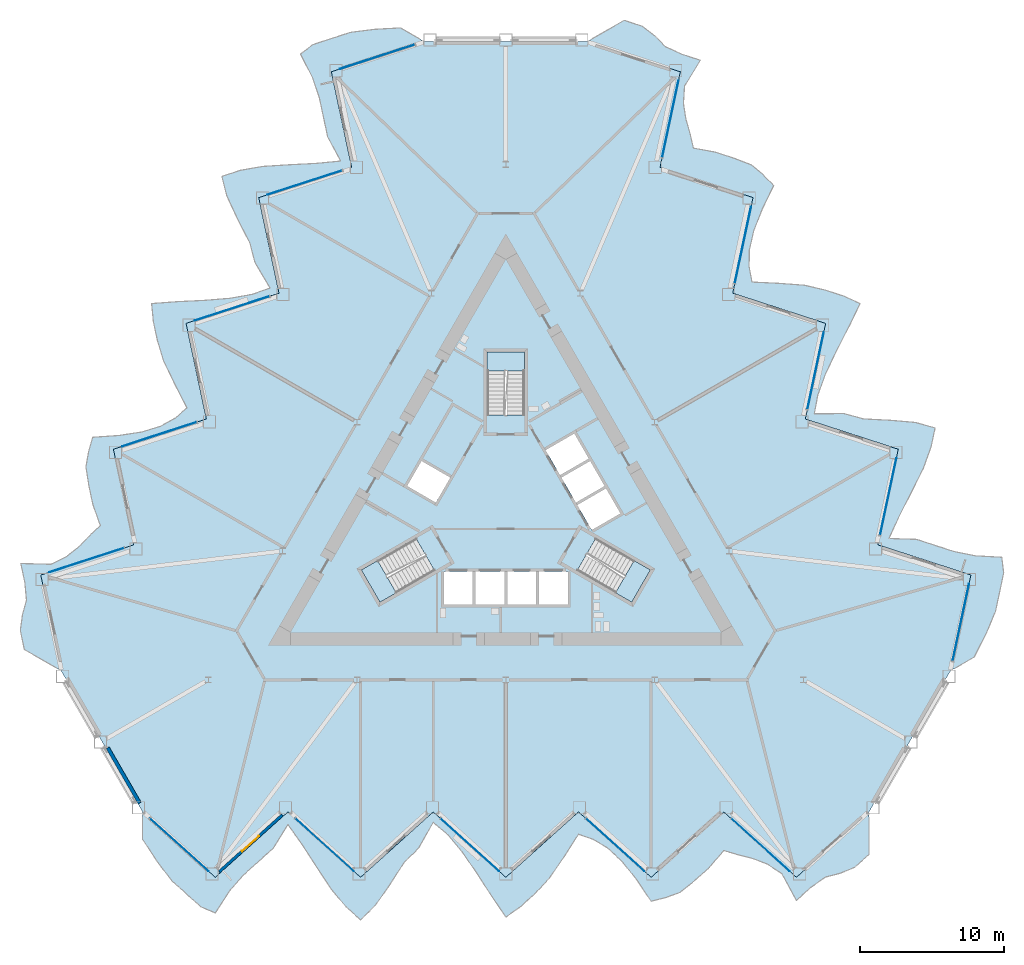
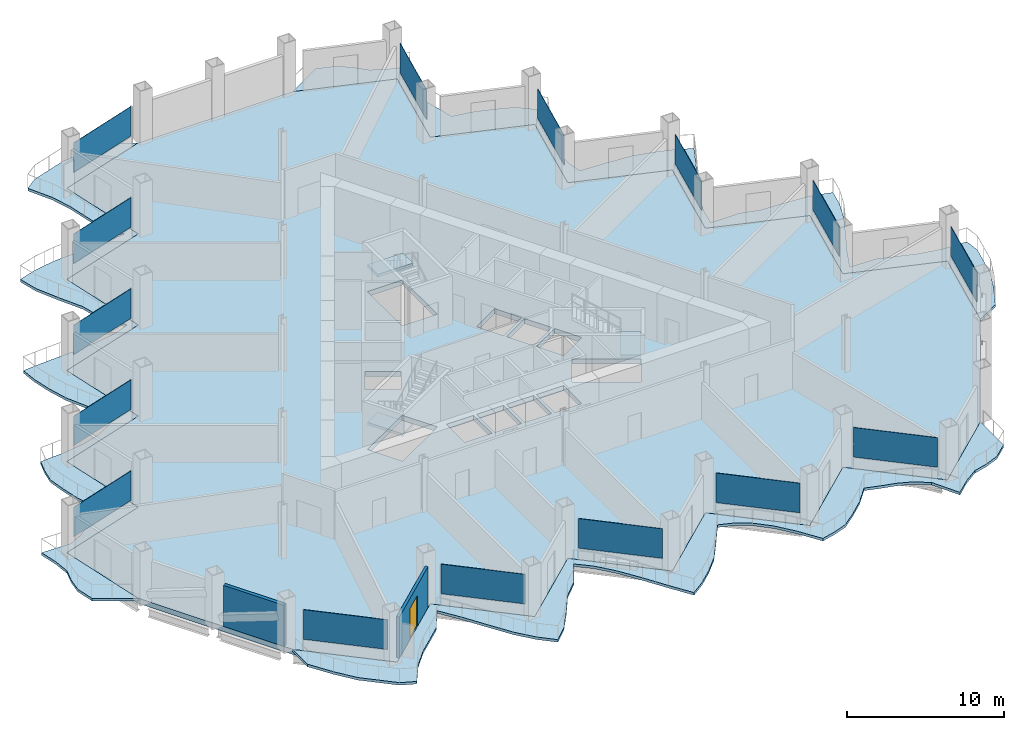
# One storey, part 9 of 21: 15 plates, 7 slabs, 2 walls, 1 door, 1 opening, 18 elements without a shape of their own.
"""IFC4 building model written with IfcOpenShell, lengths in metres."""

from ifc_helpers import new_model, si_unit, direction, frame, frame_2d, origin, origin_2d, place, context, subcontext, project, spatial, polyline, rectangle, outline, extrude, material, layer, layer_set, type_object, element, fill, aggregate, save


model = new_model("IFC4")

# Units and contexts
model_context = context("Model", 3, precision=1e-05, world=origin(), true_north=direction((0.0, 1.0)))
body_context = subcontext(model_context, "Body", "Model", "MODEL_VIEW")
ifc_project = project(units=[si_unit("LENGTHUNIT", "METRE"), si_unit("AREAUNIT", "SQUARE_METRE"), si_unit("VOLUMEUNIT", "CUBIC_METRE"), si_unit("PLANEANGLEUNIT", "RADIAN"), si_unit("MASSUNIT", "GRAM", prefix="KILO")], contexts=[model_context])

# Site, building, storey
site_placement = place(None, origin())
site = spatial("IfcSite", under=ifc_project, at=site_placement, CompositionType="ELEMENT")
building_placement = place(site_placement, origin())
building = spatial("IfcBuilding", under=site, at=building_placement, Name="Cormorant Prow Tower", CompositionType="ELEMENT")
storey_placement = place(building_placement, frame((0.0, 0.0, 124.800048828125)))
storey = spatial("IfcBuildingStorey", under=building, at=storey_placement, Name="L26", CompositionType="ELEMENT", Elevation=124.800048828125)

# Slabs
ifc_material_1 = material(Name="Concrete C40/50", Category="concrete")
ifc_layer_1 = layer(ifc_material_1, 0.199951171875)
ifc_layer_set_1 = layer_set([ifc_layer_1], Name="Concrete C40/50")
slab_type_1 = type_object("IfcSlabType", Name="Balcony slab 200", PredefinedType="FLOOR", material=ifc_layer_set_1)
slab_1_placement = place(storey_placement, frame((0.0, 0.0, -0.199951171875)))
element("IfcSlab", 1, at=slab_1_placement, inside=storey, type_object=slab_type_1, Name="Balcony slab S L26", PredefinedType="FLOOR", context=body_context, shape_type="SweptSolid", body=[
    extrude(outline(polyline([(-25.217041015625, -21.095947265625), (-25.217041015625, -22.995849609375), (-24.208251953125, -24.539306640625), (-23.19970703125, -25.8623046875), (-22.19091796875, -26.7705078125), (-21.18212890625, -27.6787109375), (-20.173583984375, -28.1103515625), (-19.164794921875, -26.558349609375), (-18.15625, -25.420654296875), (-17.1474609375, -24.512451171875), (-16.138916015625, -23.604248046875), (-15.130126953125, -21.97705078125), (-14.12158203125, -23.39453125), (-13.11279296875, -24.953369140625), (-12.104248046875, -26.47314453125), (-11.095458984375, -27.6787109375), (-10.086669921875, -28.5869140625), (-9.078125, -27.605224609375), (-8.0693359375, -26.1650390625), (-7.060791015625, -24.6015625), (-6.052001953125, -23.604248046875), (-5.04345703125, -21.8154296875), (-4.03466796875, -22.678466796875), (-3.026123046875, -23.881591796875), (-2.017333984375, -25.3427734375), (-1.0087890625, -26.908935546875), (0.0, -28.397216796875), (1.0087890625, -27.6787109375), (2.017333984375, -26.7705078125), (3.026123046875, -25.694580078125), (4.03466796875, -24.214111328125), (5.04345703125, -22.6474609375), (6.052001953125, -22.994140625), (7.060791015625, -23.593017578125), (8.0693359375, -24.530517578125), (9.078125, -25.7978515625), (10.086669921875, -27.2958984375), (11.095458984375, -27.04443359375), (12.104248046875, -26.677490234375), (13.11279296875, -25.8623046875), (14.12158203125, -24.9541015625), (15.130126953125, -23.772705078125), (16.138916015625, -24.07568359375), (17.1474609375, -24.330810546875), (18.15625, -24.7197265625), (19.164794921875, -25.38623046875), (20.173583984375, -27.237060546875), (21.18212890625, -26.328857421875), (22.19091796875, -25.619384765625), (23.19970703125, -25.3583984375), (24.208251953125, -24.94580078125), (25.217041015625, -24.0458984375), (25.217041015625, -21.095947265625), (24.208251953125, -22.004150390625), (23.19970703125, -22.912353515625), (22.19091796875, -23.820556640625), (21.18212890625, -24.728759765625), (20.173583984375, -25.636962890625), (19.164794921875, -24.728759765625), (18.15625, -23.820556640625), (17.1474609375, -22.912353515625), (16.138916015625, -22.004150390625), (15.130126953125, -21.095947265625), (14.12158203125, -22.004150390625), (13.11279296875, -22.912353515625), (12.104248046875, -23.820556640625), (11.095458984375, -24.728759765625), (10.086669921875, -25.636962890625), (9.078125, -24.728759765625), (8.0693359375, -23.820556640625), (7.060791015625, -22.912353515625), (6.052001953125, -22.004150390625), (5.04345703125, -21.095947265625), (4.03466796875, -22.004150390625), (3.026123046875, -22.912353515625), (2.017333984375, -23.820556640625), (1.0087890625, -24.728759765625), (0.0, -25.636962890625), (-1.0087890625, -24.728759765625), (-2.017333984375, -23.820556640625), (-3.026123046875, -22.912353515625), (-4.03466796875, -22.004150390625), (-5.04345703125, -21.095947265625), (-6.052001953125, -22.004150390625), (-7.060791015625, -22.912353515625), (-8.0693359375, -23.820556640625), (-9.078125, -24.728759765625), (-10.086669921875, -25.636962890625), (-11.095458984375, -24.728759765625), (-12.104248046875, -23.820556640625), (-13.11279296875, -22.912353515625), (-14.12158203125, -22.004150390625), (-15.130126953125, -21.095947265625), (-16.138916015625, -22.004150390625), (-17.1474609375, -22.912353515625), (-18.15625, -23.820556640625), (-19.164794921875, -24.728759765625), (-20.173583984375, -25.636962890625), (-21.18212890625, -24.728759765625), (-22.19091796875, -23.820556640625), (-23.19970703125, -22.912353515625), (-24.208251953125, -22.004150390625), (-25.217041015625, -21.095947265625)])), origin(), (0.0, 0.0, 1.0), 0.199951171875),
])
slab_2_placement = place(storey_placement, frame((0.0, 0.0, -0.199951171875)))
element("IfcSlab", 2, at=slab_2_placement, inside=storey, type_object=slab_type_1, Name="Balcony slab ENE L26", PredefinedType="FLOOR", context=body_context, shape_type="SweptSolid", body=[
    extrude(outline(polyline([(30.878173828125, -11.29052734375), (32.5234375, -10.340576171875), (33.355712890625, -8.6953125), (33.997314453125, -7.16015625), (34.279541015625, -5.83251953125), (34.561767578125, -4.5048828125), (34.43115234375, -3.41552734375), (32.58251953125, -3.318115234375), (31.093017578125, -3.013427734375), (29.802001953125, -2.593994140625), (28.51123046875, -2.174560546875), (26.59765625, -2.11474609375), (27.32080078125, -0.532470703125), (28.16650390625, 1.12060546875), (28.978515625, 2.754150390625), (29.518310546875, 4.23046875), (29.800537109375, 5.55810546875), (28.446044921875, 5.940673828125), (26.6943359375, 6.09423828125), (24.8359375, 6.18603515625), (23.4677734375, 6.560791015625), (21.41455078125, 6.5400390625), (21.657470703125, 7.84521484375), (22.195068359375, 9.320068359375), (22.956298828125, 10.92431640625), (23.80810546875, 12.580810546875), (24.5927734375, 14.19873046875), (23.46630859375, 14.712890625), (22.17529296875, 15.13232421875), (20.7392578125, 15.468017578125), (18.95263671875, 15.601318359375), (17.091552734375, 15.69140625), (16.887451171875, 16.73828125), (16.90185546875, 17.911376953125), (17.209228515625, 19.253662109375), (17.802734375, 20.7607421875), (18.595703125, 22.38330078125), (17.87353515625, 23.131103515625), (17.051513671875, 23.8212890625), (15.841064453125, 24.287109375), (14.55029296875, 24.70654296875), (13.022705078125, 24.989501953125), (12.780517578125, 26.014404296875), (12.497314453125, 27.015625), (12.329833984375, 28.08349609375), (12.40283203125, 29.29052734375), (13.501220703125, 31.08935546875), (12.210205078125, 31.5087890625), (11.091552734375, 32.027587890625), (10.361083984375, 32.7705078125), (9.49951171875, 33.437744140625), (8.2158203125, 33.861572265625), (5.6611328125, 32.386474609375), (6.951904296875, 31.967041015625), (8.242919921875, 31.547607421875), (9.53369140625, 31.128173828125), (10.82470703125, 30.708740234375), (12.115478515625, 30.289306640625), (11.833251953125, 28.961669921875), (11.551025390625, 27.634033203125), (11.26904296875, 26.306396484375), (10.98681640625, 24.978759765625), (10.70458984375, 23.651123046875), (11.995361328125, 23.231689453125), (13.286376953125, 22.812255859375), (14.5771484375, 22.392822265625), (15.8681640625, 21.973388671875), (17.158935546875, 21.553955078125), (16.876708984375, 20.226318359375), (16.594482421875, 18.898681640625), (16.312255859375, 17.571044921875), (16.030029296875, 16.243408203125), (15.748046875, 14.915771484375), (17.038818359375, 14.496337890625), (18.32958984375, 14.076904296875), (19.62060546875, 13.657470703125), (20.911376953125, 13.238037109375), (22.202392578125, 12.818603515625), (21.920166015625, 11.490966796875), (21.637939453125, 10.163330078125), (21.355712890625, 8.83544921875), (21.073486328125, 7.5078125), (20.791259765625, 6.18017578125), (22.082275390625, 5.7607421875), (23.373046875, 5.34130859375), (24.6640625, 4.921875), (25.954833984375, 4.50244140625), (27.24560546875, 4.0830078125), (26.963623046875, 2.75537109375), (26.681396484375, 1.427734375), (26.399169921875, 0.10009765625), (26.116943359375, -1.2275390625), (25.834716796875, -2.55517578125), (27.12548828125, -2.974609375), (28.41650390625, -3.39404296875), (29.707275390625, -3.8134765625), (30.998291015625, -4.23291015625), (32.2890625, -4.65234375), (32.0068359375, -5.97998046875), (31.724609375, -7.3076171875), (31.4423828125, -8.63525390625), (31.160400390625, -9.962890625), (30.878173828125, -11.29052734375)])), origin(), (0.0, 0.0, 1.0), 0.199951171875),
])
slab_3_placement = place(storey_placement, frame((0.0, 0.0, -0.199951171875)))
element("IfcSlab", 3, at=slab_3_placement, inside=storey, type_object=slab_type_1, Name="Balcony slab WNW L26", PredefinedType="FLOOR", context=body_context, shape_type="SweptSolid", body=[
    extrude(outline(polyline([(-5.6611328125, 32.386474609375), (-7.306640625, 33.33642578125), (-9.1474609375, 33.234619140625), (-10.797607421875, 33.022705078125), (-12.088623046875, 32.603271484375), (-13.37939453125, 32.183837890625), (-14.257568359375, 31.526123046875), (-13.417724609375, 29.87646484375), (-12.936767578125, 28.43408203125), (-12.654541015625, 27.1064453125), (-12.372314453125, 25.77880859375), (-11.467529296875, 24.091552734375), (-13.199462890625, 23.9267578125), (-15.0537109375, 23.832763671875), (-16.874267578125, 23.718994140625), (-18.4228515625, 23.4482421875), (-19.713623046875, 23.02880859375), (-19.367919921875, 21.66455078125), (-18.625, 20.07080078125), (-17.775146484375, 18.41552734375), (-17.415771484375, 17.043212890625), (-16.37109375, 15.275390625), (-17.622802734375, 14.83349609375), (-19.1689453125, 14.561279296875), (-20.938720703125, 14.41845703125), (-22.79931640625, 14.327880859375), (-24.5927734375, 14.19873046875), (-24.474853515625, 12.9658203125), (-24.192626953125, 11.63818359375), (-23.76513671875, 10.226806640625), (-22.9873046875, 8.61279296875), (-22.135009765625, 6.9560546875), (-22.939453125, 6.255859375), (-23.962646484375, 5.681884765625), (-25.27880859375, 5.27685546875), (-26.880859375, 5.037109375), (-28.682373046875, 4.91259765625), (-28.968994140625, 3.913330078125), (-29.155517578125, 2.856201171875), (-28.953857421875, 1.5751953125), (-28.671630859375, 0.24755859375), (-28.15283203125, -1.216796875), (-28.91943359375, -1.93896484375), (-29.644775390625, -2.684814453125), (-30.486083984375, -3.36376953125), (-31.567626953125, -3.904052734375), (-33.6748046875, -3.852294921875), (-33.392578125, -5.179931640625), (-33.282470703125, -6.408203125), (-33.560791015625, -7.412353515625), (-33.707763671875, -8.4921875), (-33.432861328125, -9.8154296875), (-30.878173828125, -11.29052734375), (-31.160400390625, -9.962890625), (-31.4423828125, -8.63525390625), (-31.724609375, -7.3076171875), (-32.0068359375, -5.97998046875), (-32.2890625, -4.65234375), (-30.998291015625, -4.23291015625), (-29.707275390625, -3.8134765625), (-28.41650390625, -3.39404296875), (-27.12548828125, -2.974609375), (-25.834716796875, -2.55517578125), (-26.116943359375, -1.2275390625), (-26.399169921875, 0.10009765625), (-26.681396484375, 1.427734375), (-26.963623046875, 2.75537109375), (-27.24560546875, 4.0830078125), (-25.954833984375, 4.50244140625), (-24.6640625, 4.921875), (-23.373046875, 5.34130859375), (-22.082275390625, 5.7607421875), (-20.791259765625, 6.18017578125), (-21.073486328125, 7.5078125), (-21.355712890625, 8.83544921875), (-21.637939453125, 10.163330078125), (-21.920166015625, 11.490966796875), (-22.202392578125, 12.818603515625), (-20.911376953125, 13.238037109375), (-19.62060546875, 13.657470703125), (-18.32958984375, 14.076904296875), (-17.038818359375, 14.496337890625), (-15.748046875, 14.915771484375), (-16.030029296875, 16.243408203125), (-16.312255859375, 17.571044921875), (-16.594482421875, 18.898681640625), (-16.876708984375, 20.226318359375), (-17.158935546875, 21.553955078125), (-15.8681640625, 21.973388671875), (-14.5771484375, 22.392822265625), (-13.286376953125, 22.812255859375), (-11.995361328125, 23.231689453125), (-10.70458984375, 23.651123046875), (-10.98681640625, 24.978759765625), (-11.26904296875, 26.306396484375), (-11.551025390625, 27.634033203125), (-11.833251953125, 28.961669921875), (-12.115478515625, 30.289306640625), (-10.82470703125, 30.708740234375), (-9.53369140625, 31.128173828125), (-8.242919921875, 31.547607421875), (-6.951904296875, 31.967041015625), (-5.6611328125, 32.386474609375)])), origin(), (0.0, 0.0, 1.0), 0.199951171875),
])

# Curtain wall, plate
ifc_material_2 = material(Name="Aluminium 6063-T6", Category="aluminium")
ifc_layer_2 = layer(ifc_material_2, 0.199951171875)
ifc_layer_set_2 = layer_set([ifc_layer_2], Name="Aluminium 6063-T6")
curtain_wall_type = type_object("IfcCurtainWallType", Name="Office unitised curtain wall 200", PredefinedType="NOTDEFINED", material=ifc_layer_set_2)
curtain_wall_1_placement = place(storey_placement, origin())
curtain_wall_1 = element("IfcCurtainWall", 4, at=curtain_wall_1_placement, inside=storey, type_object=curtain_wall_type, Name="Office curtain wall S00", PredefinedType="NOTDEFINED")
ifc_material_3 = material(Name="Clear glass", Category="glass")
ifc_layer_3 = layer(ifc_material_3, 0.031982421875)
ifc_layer_set_3 = layer_set([ifc_layer_3], Name="Clear glass")
plate_type = type_object("IfcPlateType", Name="Office glass panel 32", PredefinedType="CURTAIN_PANEL", material=ifc_layer_set_3)
plate_1_placement = place(storey_placement, frame((-22.6728515625, -23.386474609375, 0.89990234375), z_axis=(0.0, 0.0, 1.0), x_axis=(0.743144873348, -0.669130553193, 0.0)))
plate_1 = element("IfcPlate", 5, at=plate_1_placement, type_object=plate_type, Name="Office glass panel S00", PredefinedType="CURTAIN_PANEL", context=body_context, shape_type="SweptSolid", body=[
    extrude(rectangle(XDim=5.45458984375, YDim=0.031982421875, at=origin_2d()), origin(), (0.0, 0.0, 1.0), 2.288818359375),
])
aggregate(curtain_wall_1, [plate_1])

curtain_wall_2_placement = place(storey_placement, origin())
curtain_wall_2 = element("IfcCurtainWall", 6, at=curtain_wall_2_placement, inside=storey, type_object=curtain_wall_type, Name="Office curtain wall S02", PredefinedType="NOTDEFINED")
plate_2_placement = place(storey_placement, frame((-12.586181640625, -23.386474609375, 0.89990234375), z_axis=(0.0, 0.0, 1.0), x_axis=(0.743144807376, -0.669130626463, 0.0)))
plate_2 = element("IfcPlate", 7, at=plate_2_placement, type_object=plate_type, Name="Office glass panel S02", PredefinedType="CURTAIN_PANEL", context=body_context, shape_type="SweptSolid", body=[
    extrude(rectangle(XDim=5.45458984375, YDim=0.031982421875, at=origin_2d()), origin(), (0.0, 0.0, 1.0), 2.288818359375),
])
aggregate(curtain_wall_2, [plate_2])

curtain_wall_3_placement = place(storey_placement, origin())
curtain_wall_3 = element("IfcCurtainWall", 8, at=curtain_wall_3_placement, inside=storey, type_object=curtain_wall_type, Name="Office curtain wall S04", PredefinedType="NOTDEFINED")
plate_3_placement = place(storey_placement, frame((-2.49951171875, -23.386474609375, 0.89990234375), z_axis=(0.0, 0.0, 1.0), x_axis=(0.743144807376, -0.669130626463, 0.0)))
plate_3 = element("IfcPlate", 9, at=plate_3_placement, type_object=plate_type, Name="Office glass panel S04", PredefinedType="CURTAIN_PANEL", context=body_context, shape_type="SweptSolid", body=[
    extrude(rectangle(XDim=5.45458984375, YDim=0.031982421875, at=origin_2d()), origin(), (0.0, 0.0, 1.0), 2.288818359375),
])
aggregate(curtain_wall_3, [plate_3])

curtain_wall_4_placement = place(storey_placement, origin())
curtain_wall_4 = element("IfcCurtainWall", 10, at=curtain_wall_4_placement, inside=storey, type_object=curtain_wall_type, Name="Office curtain wall S06", PredefinedType="NOTDEFINED")
plate_4_placement = place(storey_placement, frame((7.58740234375, -23.386474609375, 0.89990234375), z_axis=(0.0, 0.0, 1.0), x_axis=(0.743144807376, -0.669130626463, 0.0)))
plate_4 = element("IfcPlate", 11, at=plate_4_placement, type_object=plate_type, Name="Office glass panel S06", PredefinedType="CURTAIN_PANEL", context=body_context, shape_type="SweptSolid", body=[
    extrude(rectangle(XDim=5.45458984375, YDim=0.031982421875, at=origin_2d()), origin(), (0.0, 0.0, 1.0), 2.288818359375),
])
aggregate(curtain_wall_4, [plate_4])

curtain_wall_5_placement = place(storey_placement, origin())
curtain_wall_5 = element("IfcCurtainWall", 12, at=curtain_wall_5_placement, inside=storey, type_object=curtain_wall_type, Name="Office curtain wall S08", PredefinedType="NOTDEFINED")
plate_5_placement = place(storey_placement, frame((17.674072265625, -23.386474609375, 0.89990234375), z_axis=(0.0, 0.0, 1.0), x_axis=(0.743144807376, -0.669130626463, 0.0)))
plate_5 = element("IfcPlate", 13, at=plate_5_placement, type_object=plate_type, Name="Office glass panel S08", PredefinedType="CURTAIN_PANEL", context=body_context, shape_type="SweptSolid", body=[
    extrude(rectangle(XDim=5.45458984375, YDim=0.031982421875, at=origin_2d()), origin(), (0.0, 0.0, 1.0), 2.288818359375),
])
aggregate(curtain_wall_5, [plate_5])

curtain_wall_6_placement = place(storey_placement, origin())
curtain_wall_6 = element("IfcCurtainWall", 14, at=curtain_wall_6_placement, inside=storey, type_object=curtain_wall_type, Name="Office curtain wall ENE00", PredefinedType="NOTDEFINED")
plate_6_placement = place(storey_placement, frame((31.58984375, -7.942138671875, 0.89990234375), z_axis=(0.0, 0.0, 1.0), x_axis=(0.207911666798, 0.978147605839, 0.0)))
plate_6 = element("IfcPlate", 15, at=plate_6_placement, type_object=plate_type, Name="Office glass panel ENE00", PredefinedType="CURTAIN_PANEL", context=body_context, shape_type="SweptSolid", body=[
    extrude(rectangle(XDim=5.45458984375, YDim=0.031982421875, at=origin_2d()), origin(), (0.0, 0.0, 1.0), 2.288818359375),
])
aggregate(curtain_wall_6, [plate_6])

curtain_wall_7_placement = place(storey_placement, origin())
curtain_wall_7 = element("IfcCurtainWall", 16, at=curtain_wall_7_placement, inside=storey, type_object=curtain_wall_type, Name="Office curtain wall ENE02", PredefinedType="NOTDEFINED")
plate_7_placement = place(storey_placement, frame((26.54638671875, 0.793212890625, 0.89990234375), z_axis=(0.0, 0.0, 1.0), x_axis=(0.207911666798, 0.978147605839, 0.0)))
plate_7 = element("IfcPlate", 17, at=plate_7_placement, type_object=plate_type, Name="Office glass panel ENE02", PredefinedType="CURTAIN_PANEL", context=body_context, shape_type="SweptSolid", body=[
    extrude(rectangle(XDim=5.45458984375, YDim=0.031982421875, at=origin_2d()), origin(), (0.0, 0.0, 1.0), 2.288818359375),
])
aggregate(curtain_wall_7, [plate_7])

curtain_wall_8_placement = place(storey_placement, origin())
curtain_wall_8 = element("IfcCurtainWall", 18, at=curtain_wall_8_placement, inside=storey, type_object=curtain_wall_type, Name="Office curtain wall ENE04", PredefinedType="NOTDEFINED")
plate_8_placement = place(storey_placement, frame((21.503173828125, 9.52880859375, 0.89990234375), z_axis=(0.0, 0.0, 1.0), x_axis=(0.207911666798, 0.978147605839, 0.0)))
plate_8 = element("IfcPlate", 19, at=plate_8_placement, type_object=plate_type, Name="Office glass panel ENE04", PredefinedType="CURTAIN_PANEL", context=body_context, shape_type="SweptSolid", body=[
    extrude(rectangle(XDim=5.45458984375, YDim=0.031982421875, at=origin_2d()), origin(), (0.0, 0.0, 1.0), 2.288818359375),
])
aggregate(curtain_wall_8, [plate_8])

curtain_wall_9_placement = place(storey_placement, origin())
curtain_wall_9 = element("IfcCurtainWall", 20, at=curtain_wall_9_placement, inside=storey, type_object=curtain_wall_type, Name="Office curtain wall ENE06", PredefinedType="NOTDEFINED")
plate_9_placement = place(storey_placement, frame((16.459716796875, 18.26416015625, 0.89990234375), z_axis=(0.0, 0.0, 1.0), x_axis=(0.207911636836, 0.978147612208, 0.0)))
plate_9 = element("IfcPlate", 21, at=plate_9_placement, type_object=plate_type, Name="Office glass panel ENE06", PredefinedType="CURTAIN_PANEL", context=body_context, shape_type="SweptSolid", body=[
    extrude(rectangle(XDim=5.45458984375, YDim=0.031982421875, at=origin_2d()), origin(), (0.0, 0.0, 1.0), 2.288818359375),
])
aggregate(curtain_wall_9, [plate_9])

curtain_wall_10_placement = place(storey_placement, origin())
curtain_wall_10 = element("IfcCurtainWall", 22, at=curtain_wall_10_placement, inside=storey, type_object=curtain_wall_type, Name="Office curtain wall ENE08", PredefinedType="NOTDEFINED")
plate_10_placement = place(storey_placement, frame((11.416259765625, 26.99951171875, 0.89990234375), z_axis=(0.0, 0.0, 1.0), x_axis=(0.207911636836, 0.978147612208, 0.0)))
plate_10 = element("IfcPlate", 23, at=plate_10_placement, type_object=plate_type, Name="Office glass panel ENE08", PredefinedType="CURTAIN_PANEL", context=body_context, shape_type="SweptSolid", body=[
    extrude(rectangle(XDim=5.45458984375, YDim=0.031982421875, at=origin_2d()), origin(), (0.0, 0.0, 1.0), 2.288818359375),
])
aggregate(curtain_wall_10, [plate_10])

curtain_wall_11_placement = place(storey_placement, origin())
curtain_wall_11 = element("IfcCurtainWall", 24, at=curtain_wall_11_placement, inside=storey, type_object=curtain_wall_type, Name="Office curtain wall WNW00", PredefinedType="NOTDEFINED")
plate_11_placement = place(storey_placement, frame((-8.9169921875, 31.32861328125, 0.89990234375), z_axis=(0.0, 0.0, 1.0), x_axis=(-0.951056548245, -0.309016896042, 0.0)))
plate_11 = element("IfcPlate", 25, at=plate_11_placement, type_object=plate_type, Name="Office glass panel WNW00", PredefinedType="CURTAIN_PANEL", context=body_context, shape_type="SweptSolid", body=[
    extrude(rectangle(XDim=5.45458984375, YDim=0.031982421875, at=origin_2d()), origin(), (0.0, 0.0, 1.0), 2.288818359375),
])
aggregate(curtain_wall_11, [plate_11])

curtain_wall_12_placement = place(storey_placement, origin())
curtain_wall_12 = element("IfcCurtainWall", 26, at=curtain_wall_12_placement, inside=storey, type_object=curtain_wall_type, Name="Office curtain wall WNW02", PredefinedType="NOTDEFINED")
plate_12_placement = place(storey_placement, frame((-13.960205078125, 22.59326171875, 0.89990234375), z_axis=(0.0, 0.0, 1.0), x_axis=(-0.95105653418, -0.309016939332, 0.0)))
plate_12 = element("IfcPlate", 27, at=plate_12_placement, type_object=plate_type, Name="Office glass panel WNW02", PredefinedType="CURTAIN_PANEL", context=body_context, shape_type="SweptSolid", body=[
    extrude(rectangle(XDim=5.45458984375, YDim=0.031982421875, at=origin_2d()), origin(), (0.0, 0.0, 1.0), 2.288818359375),
])
aggregate(curtain_wall_12, [plate_12])

curtain_wall_13_placement = place(storey_placement, origin())
curtain_wall_13 = element("IfcCurtainWall", 28, at=curtain_wall_13_placement, inside=storey, type_object=curtain_wall_type, Name="Office curtain wall WNW04", PredefinedType="NOTDEFINED")
plate_13_placement = place(storey_placement, frame((-19.003662109375, 13.85791015625, 0.89990234375), z_axis=(0.0, 0.0, 1.0), x_axis=(-0.95105653418, -0.309016939332, 0.0)))
plate_13 = element("IfcPlate", 29, at=plate_13_placement, type_object=plate_type, Name="Office glass panel WNW04", PredefinedType="CURTAIN_PANEL", context=body_context, shape_type="SweptSolid", body=[
    extrude(rectangle(XDim=5.45458984375, YDim=0.031982421875, at=origin_2d()), origin(), (0.0, 0.0, 1.0), 2.288818359375),
])
aggregate(curtain_wall_13, [plate_13])

curtain_wall_14_placement = place(storey_placement, origin())
curtain_wall_14 = element("IfcCurtainWall", 30, at=curtain_wall_14_placement, inside=storey, type_object=curtain_wall_type, Name="Office curtain wall WNW06", PredefinedType="NOTDEFINED")
plate_14_placement = place(storey_placement, frame((-24.047119140625, 5.122314453125, 0.89990234375), z_axis=(0.0, 0.0, 1.0), x_axis=(-0.951056490871, -0.309017072623, 0.0)))
plate_14 = element("IfcPlate", 31, at=plate_14_placement, type_object=plate_type, Name="Office glass panel WNW06", PredefinedType="CURTAIN_PANEL", context=body_context, shape_type="SweptSolid", body=[
    extrude(rectangle(XDim=5.45458984375, YDim=0.031982421875, at=origin_2d()), origin(), (0.0, 0.0, 1.0), 2.288818359375),
])
aggregate(curtain_wall_14, [plate_14])

curtain_wall_15_placement = place(storey_placement, origin())
curtain_wall_15 = element("IfcCurtainWall", 32, at=curtain_wall_15_placement, inside=storey, type_object=curtain_wall_type, Name="Office curtain wall WNW08", PredefinedType="NOTDEFINED")
plate_15_placement = place(storey_placement, frame((-29.09033203125, -3.613037109375, 0.89990234375), z_axis=(0.0, 0.0, 1.0), x_axis=(-0.951056490871, -0.309017072623, 0.0)))
plate_15 = element("IfcPlate", 33, at=plate_15_placement, type_object=plate_type, Name="Office glass panel WNW08", PredefinedType="CURTAIN_PANEL", context=body_context, shape_type="SweptSolid", body=[
    extrude(rectangle(XDim=5.45458984375, YDim=0.031982421875, at=origin_2d()), origin(), (0.0, 0.0, 1.0), 2.288818359375),
])
aggregate(curtain_wall_15, [plate_15])

# Slab
ifc_material_4 = material(Name="Concrete C40/50", Category="concrete")
ifc_layer_4 = layer(ifc_material_4, 0.39990234375)
ifc_layer_set_4 = layer_set([ifc_layer_4], Name="Concrete C40/50")
slab_type_2 = type_object("IfcSlabType", Name="Post-tensioned flat slab 400", PredefinedType="FLOOR", material=ifc_layer_set_4)
slab_4_placement = place(storey_placement, frame((0.0, 0.0, -0.400146484375)))
element("IfcSlab", 34, at=slab_4_placement, inside=storey, type_object=slab_type_2, Name="Floor slab L26", PredefinedType="FLOOR", context=body_context, shape_type="SweptSolid", body=[
    extrude(outline(polyline([(-12.115478515625, 30.289306640625), (-10.70458984375, 23.651123046875), (-17.158935546875, 21.553955078125), (-15.748046875, 14.915771484375), (-22.202392578125, 12.818603515625), (-20.791259765625, 6.18017578125), (-27.24560546875, 4.0830078125), (-25.834716796875, -2.55517578125), (-32.2890625, -4.65234375), (-30.878173828125, -11.29052734375), (-28.047607421875, -16.193359375), (-25.217041015625, -21.095947265625), (-20.173583984375, -25.636962890625), (-15.130126953125, -21.095947265625), (-10.086669921875, -25.636962890625), (-5.04345703125, -21.095947265625), (0.0, -25.636962890625), (5.04345703125, -21.095947265625), (10.086669921875, -25.636962890625), (15.130126953125, -21.095947265625), (20.173583984375, -25.636962890625), (25.217041015625, -21.095947265625), (28.047607421875, -16.193359375), (30.878173828125, -11.29052734375), (32.2890625, -4.65234375), (25.834716796875, -2.55517578125), (27.24560546875, 4.0830078125), (20.791259765625, 6.18017578125), (22.202392578125, 12.818603515625), (15.748046875, 14.915771484375), (17.158935546875, 21.553955078125), (10.70458984375, 23.651123046875), (12.115478515625, 30.289306640625), (5.6611328125, 32.386474609375), (0.0, 32.386474609375), (-5.6611328125, 32.386474609375), (-12.115478515625, 30.289306640625)]), holes=[polyline([(-4.300048828125, -6.699951171875), (-4.300048828125, -4.39990234375), (-2.300048828125, -4.39990234375), (-2.300048828125, -6.699951171875), (-4.300048828125, -6.699951171875)]), polyline([(-2.10009765625, -4.39990234375), (-0.10009765625, -4.39990234375), (-0.10009765625, -6.699951171875), (-2.10009765625, -6.699951171875), (-2.10009765625, -4.39990234375)]), polyline([(2.10009765625, -4.39990234375), (2.10009765625, -6.699951171875), (0.10009765625, -6.699951171875), (0.10009765625, -4.39990234375), (2.10009765625, -4.39990234375)]), polyline([(4.300048828125, -6.699951171875), (2.300048828125, -6.699951171875), (2.300048828125, -4.39990234375), (4.300048828125, -4.39990234375), (4.300048828125, -6.699951171875)]), polyline([(7.952392578125, -0.373779296875), (5.96044921875, -1.52392578125), (4.96044921875, 0.2080078125), (6.952392578125, 1.358154296875), (7.952392578125, -0.373779296875)]), polyline([(4.860595703125, 0.38134765625), (3.860595703125, 2.11328125), (5.852294921875, 3.263427734375), (6.852294921875, 1.53125), (4.860595703125, 0.38134765625)]), polyline([(2.760498046875, 4.018798828125), (4.75244140625, 5.168701171875), (5.75244140625, 3.4365234375), (3.760498046875, 2.28662109375), (2.760498046875, 4.018798828125)]), polyline([(-6.852294921875, 1.53125), (-5.852294921875, 3.263427734375), (-3.860595703125, 2.11328125), (-4.860595703125, 0.38134765625), (-6.852294921875, 1.53125)]), polyline([(-4.947509765625, -4.3505859375), (-8.738037109375, -6.5390625), (-10.031982421875, -4.2978515625), (-6.241455078125, -2.109375), (-4.947509765625, -4.3505859375)]), polyline([(10.031982421875, -4.2978515625), (8.738037109375, -6.5390625), (4.947509765625, -4.3505859375), (6.241455078125, -2.109375), (10.031982421875, -4.2978515625)]), polyline([(1.2939453125, 10.8369140625), (1.2939453125, 6.459716796875), (-1.2939453125, 6.459716796875), (-1.2939453125, 10.8369140625), (1.2939453125, 10.8369140625)])]), origin(), (0.0, 0.0, 1.0), 0.400146484375),
])

# Stair, slab
ifc_material_5 = material(Name="Exit stair 24 risers")
stair_type = type_object("IfcStairType", Name="Exit stair 24 risers", PredefinedType="HALF_TURN_STAIR", material=ifc_material_5)
stair_1_placement = place(storey_placement, origin())
stair_1 = element("IfcStair", 35, at=stair_1_placement, inside=storey, type_object=stair_type, Name="L26 Exit stair ST1", PredefinedType="HALF_TURN_STAIR")
ifc_material_6 = material(Name="Concrete 5000 psi", Category="concrete")
ifc_layer_5 = layer(ifc_material_6, 0.199951171875)
ifc_layer_set_5 = layer_set([ifc_layer_5], Name="Concrete 5000 psi")
slab_type_3 = type_object("IfcSlabType", Name="Stair landing 200", PredefinedType="LANDING", material=ifc_layer_set_5)
slab_5_placement = place(storey_placement, frame((0.0, 0.0, 1.89990234375)))
slab_5 = element("IfcSlab", 36, at=slab_5_placement, type_object=slab_type_3, Name="ST1 landing 1", PredefinedType="LANDING", context=body_context, shape_type="SweptSolid", body=[
    extrude(outline(polyline([(-8.90185546875, -3.645263671875), (-10.031982421875, -4.2978515625), (-8.738037109375, -6.5390625), (-7.60791015625, -5.886474609375), (-8.90185546875, -3.645263671875)])), origin(), (0.0, 0.0, 1.0), 0.199951171875),
])
aggregate(stair_1, [slab_5])

stair_2_placement = place(storey_placement, origin())
stair_2 = element("IfcStair", 37, at=stair_2_placement, inside=storey, type_object=stair_type, Name="L26 Exit stair ST2", PredefinedType="HALF_TURN_STAIR")
slab_6_placement = place(storey_placement, frame((0.0, 0.0, 1.89990234375)))
slab_6 = element("IfcSlab", 38, at=slab_6_placement, type_object=slab_type_3, Name="ST2 landing 1", PredefinedType="LANDING", context=body_context, shape_type="SweptSolid", body=[
    extrude(outline(polyline([(7.60791015625, -5.886474609375), (8.738037109375, -6.5390625), (10.031982421875, -4.2978515625), (8.90185546875, -3.645263671875), (7.60791015625, -5.886474609375)])), origin(), (0.0, 0.0, 1.0), 0.199951171875),
])
aggregate(stair_2, [slab_6])

stair_3_placement = place(storey_placement, origin())
stair_3 = element("IfcStair", 39, at=stair_3_placement, inside=storey, type_object=stair_type, Name="L26 Exit stair ST3", PredefinedType="HALF_TURN_STAIR")
slab_7_placement = place(storey_placement, frame((0.0, 0.0, 1.89990234375)))
slab_7 = element("IfcSlab", 40, at=slab_7_placement, type_object=slab_type_3, Name="ST3 landing 1", PredefinedType="LANDING", context=body_context, shape_type="SweptSolid", body=[
    extrude(outline(polyline([(1.2939453125, 9.53173828125), (1.2939453125, 10.8369140625), (-1.2939453125, 10.8369140625), (-1.2939453125, 9.53173828125), (1.2939453125, 9.53173828125)])), origin(), (0.0, 0.0, 1.0), 0.199951171875),
])
aggregate(stair_3, [slab_7])

# Wall
ifc_material_7 = material(Name="Terracotta", Category="masonry")
ifc_layer_6 = layer(ifc_material_7, 0.25)
ifc_layer_set_6 = layer_set([ifc_layer_6], Name="Terracotta")
wall_type_1 = type_object("IfcWallType", Name="Terracotta bay wall 250", PredefinedType="SOLIDWALL", material=ifc_layer_set_6)
wall_1_placement = place(storey_placement, frame((-27.64111328125, -16.64697265625, 0.0), z_axis=(0.0, 0.0, 1.0), x_axis=(0.499968989506, -0.866043306961, 0.0)))
element("IfcWall", 41, at=wall_1_placement, inside=storey, type_object=wall_type_1, Name="Terracotta bay wall WSW01", PredefinedType="SOLIDWALL", context=body_context, shape_type="SweptSolid", body=[
    extrude(rectangle(XDim=4.428955078125, YDim=0.25, at=frame_2d((2.21435546875, 0.0))), origin(), (0.0, 0.0, 1.0), 3.18896484375),
])

# Wall, opening, door
ifc_material_8 = material(Name="Terracotta", Category="masonry")
ifc_layer_7 = layer(ifc_material_8, 0.199951171875)
ifc_layer_set_7 = layer_set([ifc_layer_7], Name="Terracotta")
wall_type_2 = type_object("IfcWallType", Name="Terracotta jamb wall 200", PredefinedType="SOLIDWALL", material=ifc_layer_set_7)
wall_2_placement = place(storey_placement, frame((-19.896240234375, -25.252685546875, 0.0), z_axis=(0.0, 0.0, 1.0), x_axis=(0.743157926671, 0.669116055723, 0.0)))
wall_2 = element("IfcWall", 42, at=wall_2_placement, inside=storey, type_object=wall_type_2, Name="Terracotta jamb wall S01", PredefinedType="SOLIDWALL", context=body_context, shape_type="SweptSolid", body=[
    extrude(rectangle(XDim=5.88232421875, YDim=0.199951171875, at=frame_2d((2.941162109375, 0.0))), origin(), (0.0, 0.0, 1.0), 3.18896484375),
])
opening_placement = place(wall_2_placement, frame((2.130126953125, 0.0, 0.0)))
opening = element("IfcOpeningElement", 43, at=opening_placement, cuts=wall_2, Name="Opening ED26.01", PredefinedType="OPENING", context=body_context, shape_type="SweptSolid", body=[
    extrude(rectangle(XDim=1.60009765625, YDim=2.39990234375, at=frame_2d((0.800048828125, 1.199951171875))), frame((0.0, 0.10986328125, 0.0), z_axis=(0.0, -1.0, 0.0), x_axis=(1.0, 0.0, 0.0)), (0.0, 0.0, 1.0), 0.219970703125),
])
ifc_material_9 = material(Name="Aluminium 6063-T6", Category="aluminium")
door_type = type_object("IfcDoorType", Name="Balcony door 1600x2400", OperationType="DOUBLE_DOOR_SINGLE_SWING", PredefinedType="DOOR", material=ifc_material_9)
door_placement = place(opening_placement, origin())
door = element("IfcDoor", 44, at=door_placement, inside=storey, type_object=door_type, Name="Balcony door S01 ED26.01", OperationType="DOUBLE_DOOR_SINGLE_SWING", OverallHeight=2.39990234375, OverallWidth=1.60009765625, PredefinedType="DOOR", context=body_context, shape_type="SweptSolid", body=[
    extrude(rectangle(XDim=1.60009765625, YDim=2.39990234375, at=frame_2d((0.800048828125, 1.199951171875))), frame((0.0, 0.02490234375, 0.0), z_axis=(0.0, -1.0, 0.0), x_axis=(1.0, 0.0, 0.0)), (0.0, 0.0, 1.0), 0.050048828125),
])
fill(opening, door)

save(model, "model.ifc")
